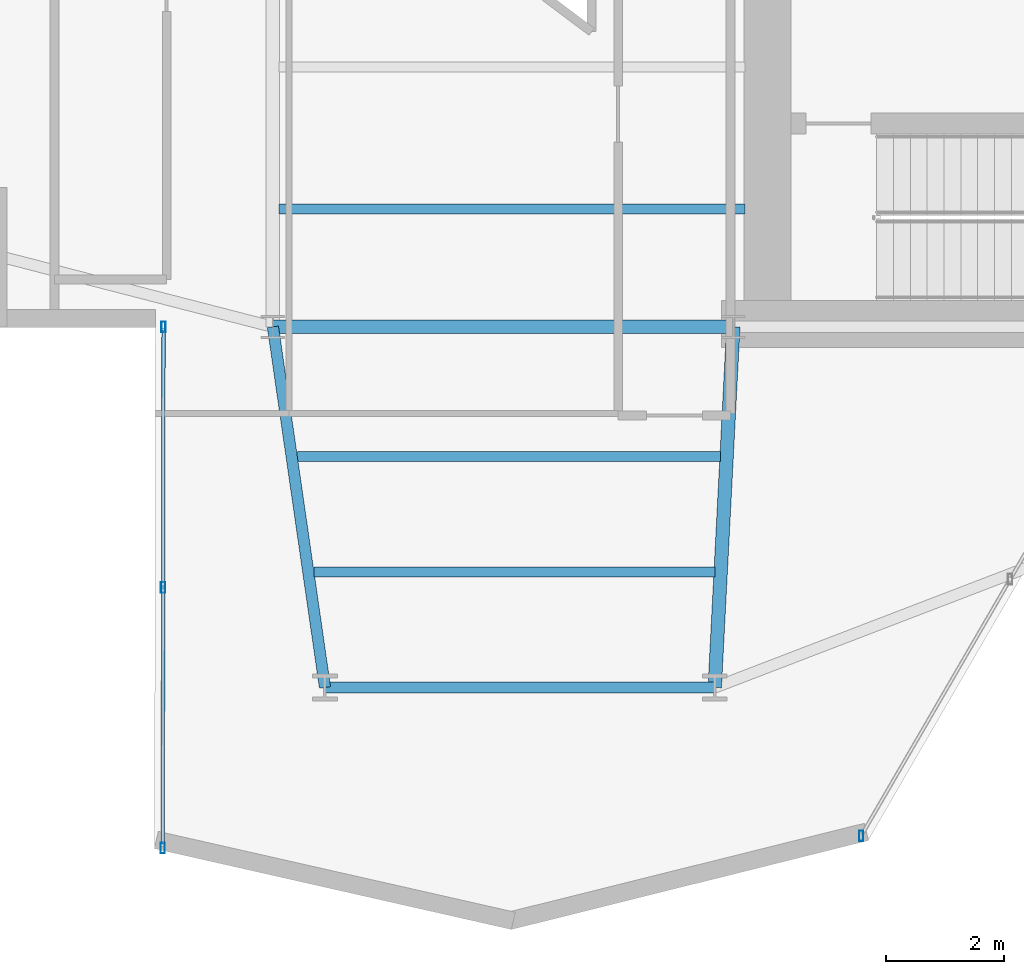
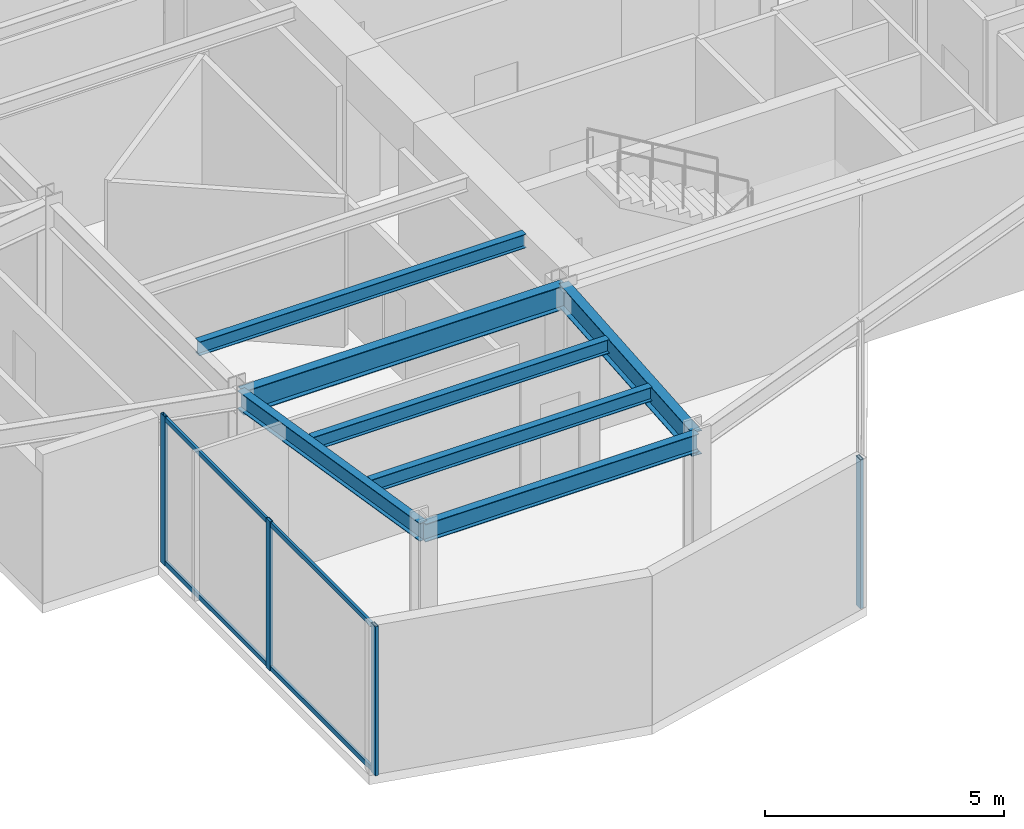
# One storey, part 6 of 25: 7 beams, 6 members, 2 elements without a shape of their own.
"""IFC4 building model written with IfcOpenShell, lengths in metres."""

from ifc_helpers import new_model, si_unit, direction, frame, origin, origin_2d, place, context, subcontext, project, spatial, hollow_rectangle, i_section, extrude, material, layer, layer_set, material_profile, profile_set, type_object, element, aggregate, save


model = new_model("IFC4")

# Units and contexts
model_context = context("Model", 3, precision=1e-05, world=origin(), true_north=direction((0.0, 1.0)))
body_context = subcontext(model_context, "Body", "Model", "MODEL_VIEW")
ifc_project = project(units=[si_unit("LENGTHUNIT", "METRE"), si_unit("AREAUNIT", "SQUARE_METRE"), si_unit("VOLUMEUNIT", "CUBIC_METRE"), si_unit("PLANEANGLEUNIT", "RADIAN"), si_unit("MASSUNIT", "GRAM", prefix="KILO")], contexts=[model_context])

# Site, building, storey
site_placement = place(None, origin())
site = spatial("IfcSite", under=ifc_project, at=site_placement, CompositionType="ELEMENT")
building_placement = place(site_placement, origin())
building = spatial("IfcBuilding", under=site, at=building_placement, Name="Veymaron Broadcast Tower", CompositionType="ELEMENT")
storey_placement = place(building_placement, frame((0.0, 0.0, 169.5)))
storey = spatial("IfcBuildingStorey", under=building, at=storey_placement, Name="L39", CompositionType="ELEMENT", Elevation=169.5)

# Beams
ifc_material_1 = material(Name="Structural steel ASTM A992 Gr 50", Category="steel")
ifc_material_profile_1 = material_profile(ifc_material_1, i_section(OverallWidth=0.22802734375, OverallDepth=0.60791015625, WebThickness=0.01123046875, FlangeThickness=0.017333984375, at=origin_2d()), Name="W610X113")
ifc_profile_set_1 = profile_set([ifc_material_profile_1], Name="Structural steel ASTM A992 Gr 50")
beam_type_1 = type_object("IfcBeamType", Name="BM-FG2", PredefinedType="BEAM", material=ifc_profile_set_1)
beam_1_placement = place(storey_placement, frame((31.199951171875, 16.0, 3.506103515625), z_axis=(1.0, 0.0, 0.0), x_axis=(0.0, 1.0, 0.0)))
element("IfcBeam", 1, at=beam_1_placement, inside=storey, type_object=beam_type_1, Name="L39 primary structural floor girder", PredefinedType="BEAM", context=body_context, shape_type="SweptSolid", body=[
    extrude(i_section(OverallWidth=0.22802734375, OverallDepth=0.60791015625, WebThickness=0.01123046875, FlangeThickness=0.017333984375, at=origin_2d()), origin(), (0.0, 0.0, 1.0), 7.800048828125),
])
beam_2_placement = place(storey_placement, frame((39.0, 16.0, 3.506103515625), z_axis=(-0.051475996299, -0.998674232072, 0.0), x_axis=(0.998674232072, -0.051475996299, 0.0)))
element("IfcBeam", 2, at=beam_2_placement, inside=storey, type_object=beam_type_1, Name="L39 primary structural floor girder", PredefinedType="BEAM", context=body_context, shape_type="SweptSolid", body=[
    extrude(i_section(OverallWidth=0.22802734375, OverallDepth=0.60791015625, WebThickness=0.01123046875, FlangeThickness=0.017333984375, at=origin_2d()), origin(), (0.0, 0.0, 1.0), 6.1181640625),
])
ifc_material_profile_2 = material_profile(ifc_material_1, i_section(OverallWidth=0.1708984375, OverallDepth=0.35498046875, WebThickness=0.007080078125, FlangeThickness=0.01171875, at=origin_2d()), Name="W360X51")
ifc_profile_set_2 = profile_set([ifc_material_profile_2], Name="Structural steel ASTM A992 Gr 50")
beam_type_2 = type_object("IfcBeamType", Name="BM-JS2", PredefinedType="JOIST", material=ifc_profile_set_2)
beam_3_placement = place(storey_placement, frame((31.617431640625, 13.80029296875, 3.632568359375), z_axis=(1.0, 0.0, 0.0), x_axis=(0.0, 1.0, 0.0)))
element("IfcBeam", 3, at=beam_3_placement, inside=storey, type_object=beam_type_2, Name="L39 Arm-C secondary joist 1", PredefinedType="JOIST", context=body_context, shape_type="SweptSolid", body=[
    extrude(i_section(OverallWidth=0.1708984375, OverallDepth=0.35498046875, WebThickness=0.007080078125, FlangeThickness=0.01171875, at=origin_2d()), origin(), (0.0, 0.0, 1.0), 7.169189453125),
])
beam_4_placement = place(storey_placement, frame((31.89990234375, 11.84521484375, 3.632568359375), z_axis=(1.0, 0.0, 0.0), x_axis=(0.0, 1.0, 0.0)))
element("IfcBeam", 4, at=beam_4_placement, inside=storey, type_object=beam_type_2, Name="L39 Arm-C secondary joist 2", PredefinedType="JOIST", context=body_context, shape_type="SweptSolid", body=[
    extrude(i_section(OverallWidth=0.1708984375, OverallDepth=0.35498046875, WebThickness=0.007080078125, FlangeThickness=0.01171875, at=origin_2d()), origin(), (0.0, 0.0, 1.0), 6.785888671875),
])
beam_5_placement = place(storey_placement, frame((31.300048828125, 18.0, 3.632568359375), z_axis=(1.0, 0.0, 0.0), x_axis=(0.0, 1.0, 0.0)))
element("IfcBeam", 5, at=beam_5_placement, inside=storey, type_object=beam_type_2, Name="L39 Hub secondary joist 1", PredefinedType="JOIST", context=body_context, shape_type="SweptSolid", body=[
    extrude(i_section(OverallWidth=0.1708984375, OverallDepth=0.35498046875, WebThickness=0.007080078125, FlangeThickness=0.01171875, at=origin_2d()), origin(), (0.0, 0.0, 1.0), 7.89990234375),
])
ifc_material_profile_3 = material_profile(ifc_material_1, i_section(OverallWidth=0.19091796875, OverallDepth=0.4599609375, WebThickness=0.010009765625, FlangeThickness=0.01611328125, at=origin_2d()), Name="W460X82")
ifc_profile_set_3 = profile_set([ifc_material_profile_3], Name="Structural steel ASTM A992 Gr 50")
beam_type_3 = type_object("IfcBeamType", Name="BM-SP1", PredefinedType="SPANDREL", material=ifc_profile_set_3)
beam_6_placement = place(storey_placement, frame((31.199951171875, 16.0, 3.580078125), z_axis=(0.142882854536, -0.989739607109, 0.0), x_axis=(0.989739607109, 0.142882854536, 0.0)))
element("IfcBeam", 6, at=beam_6_placement, inside=storey, type_object=beam_type_3, Name="L39 primary structural floor girder", PredefinedType="SPANDREL", context=body_context, shape_type="SweptSolid", body=[
    extrude(i_section(OverallWidth=0.19091796875, OverallDepth=0.4599609375, WebThickness=0.010009765625, FlangeThickness=0.01611328125, at=origin_2d()), origin(), (0.0, 0.0, 1.0), 6.17333984375),
])
beam_7_placement = place(storey_placement, frame((32.08203125, 9.889892578125, 3.580078125), z_axis=(1.0, 0.0, 0.0), x_axis=(0.0, 1.0, 0.0)))
element("IfcBeam", 7, at=beam_7_placement, inside=storey, type_object=beam_type_3, Name="L39 primary structural floor girder", PredefinedType="SPANDREL", context=body_context, shape_type="SweptSolid", body=[
    extrude(i_section(OverallWidth=0.19091796875, OverallDepth=0.4599609375, WebThickness=0.010009765625, FlangeThickness=0.01611328125, at=origin_2d()), origin(), (0.0, 0.0, 1.0), 6.60302734375),
])

# Curtain wall, members
ifc_material_2 = material(Name="Anodised aluminium AA 6063-T6 and laminated low-E dark glass", Category="aluminium")
ifc_layer = layer(ifc_material_2, 0.179931640625)
ifc_layer_set = layer_set([ifc_layer], Name="Anodised aluminium AA 6063-T6 and laminated low-E dark glass")
curtain_wall_type = type_object("IfcCurtainWallType", Name="CW-SYS-03", PredefinedType="NOTDEFINED", material=ifc_layer_set)
curtain_wall_1_placement = place(storey_placement, origin())
curtain_wall_1 = element("IfcCurtainWall", 8, at=curtain_wall_1_placement, inside=storey, type_object=curtain_wall_type, Name="L39 dark-glass curtain wall CW-L39-E17-1", PredefinedType="NOTDEFINED")
ifc_material_3 = material(Name="Anodised aluminium AA 6063-T6", Category="aluminium")
ifc_material_profile_4 = material_profile(ifc_material_3, hollow_rectangle(XDim=0.074951171875, YDim=0.179931640625, WallThickness=0.0048828125, at=origin_2d()), Name="AL180X75X5")
ifc_profile_set_4 = profile_set([ifc_material_profile_4], Name="Anodised aluminium AA 6063-T6")
member_type_1 = type_object("IfcMemberType", Name="CW-MUL-02", PredefinedType="MULLION", material=ifc_profile_set_4)
member_1_placement = place(storey_placement, frame((29.3466796875, 15.999755859375, 0.0), z_axis=(0.0, 0.0, 1.0), x_axis=(1.0, 0.0, 0.0)))
member_1 = element("IfcMember", 9, at=member_1_placement, type_object=member_type_1, Name="CW-L39-E17-1 mullion 0", PredefinedType="MULLION", context=body_context, shape_type="SweptSolid", body=[
    extrude(hollow_rectangle(XDim=0.074951171875, YDim=0.179931640625, WallThickness=0.0048828125, at=origin_2d()), origin(), (0.0, 0.0, 1.0), 3.81005859375),
])
member_2_placement = place(storey_placement, frame((29.34033203125, 11.584228515625, 0.0), z_axis=(0.0, 0.0, 1.0), x_axis=(1.0, 0.0, 0.0)))
member_2 = element("IfcMember", 10, at=member_2_placement, type_object=member_type_1, Name="CW-L39-E17-1 mullion 1", PredefinedType="MULLION", context=body_context, shape_type="SweptSolid", body=[
    extrude(hollow_rectangle(XDim=0.074951171875, YDim=0.179931640625, WallThickness=0.0048828125, at=origin_2d()), origin(), (0.0, 0.0, 1.0), 3.81005859375),
])
member_3_placement = place(storey_placement, frame((29.333984375, 7.168701171875, 0.0), z_axis=(0.0, 0.0, 1.0), x_axis=(1.0, 0.0, 0.0)))
member_3 = element("IfcMember", 11, at=member_3_placement, type_object=member_type_1, Name="CW-L39-E17-1 mullion 2", PredefinedType="MULLION", context=body_context, shape_type="SweptSolid", body=[
    extrude(hollow_rectangle(XDim=0.074951171875, YDim=0.179931640625, WallThickness=0.0048828125, at=origin_2d()), origin(), (0.0, 0.0, 1.0), 3.81005859375),
])

# Curtain wall, member
curtain_wall_2_placement = place(storey_placement, origin())
curtain_wall_2 = element("IfcCurtainWall", 12, at=curtain_wall_2_placement, inside=storey, type_object=curtain_wall_type, Name="L39 dark-glass curtain wall CW-L39-E20-1", PredefinedType="NOTDEFINED")
member_4_placement = place(storey_placement, frame((41.1669921875, 7.376220703125, 0.0), z_axis=(0.0, 0.0, 1.0), x_axis=(1.0, 0.0, 0.0)))
member_4 = element("IfcMember", 13, at=member_4_placement, type_object=member_type_1, Name="CW-L39-E20-1 mullion 0", PredefinedType="MULLION", context=body_context, shape_type="SweptSolid", body=[
    extrude(hollow_rectangle(XDim=0.074951171875, YDim=0.179931640625, WallThickness=0.0048828125, at=origin_2d()), origin(), (0.0, 0.0, 1.0), 3.81005859375),
])
aggregate(curtain_wall_2, [member_4])

# Member
ifc_material_profile_5 = material_profile(ifc_material_3, hollow_rectangle(XDim=0.06005859375, YDim=0.1201171875, WallThickness=0.00390625, at=origin_2d()), Name="AL120X60X4")
ifc_profile_set_5 = profile_set([ifc_material_profile_5], Name="Anodised aluminium AA 6063-T6")
member_type_2 = type_object("IfcMemberType", Name="CW-TRN-02", PredefinedType="USERDEFINED", material=ifc_profile_set_5)
member_5_placement = place(storey_placement, frame((29.3466796875, 15.94970703125, 0.070068359375), z_axis=(-0.001454055842, -0.99999894286, 0.0), x_axis=(0.99999894286, -0.001454055842, 0.0)))
member_5 = element("IfcMember", 14, at=member_5_placement, type_object=member_type_2, Name="CW-L39-E17-1 transom B", ObjectType="TRANSOM", PredefinedType="USERDEFINED", context=body_context, shape_type="SweptSolid", body=[
    extrude(hollow_rectangle(XDim=0.06005859375, YDim=0.1201171875, WallThickness=0.00390625, at=origin_2d()), origin(), (0.0, 0.0, 1.0), 8.73095703125),
])

member_6_placement = place(storey_placement, frame((29.3466796875, 15.94970703125, 3.739990234375), z_axis=(-0.001454055842, -0.99999894286, 0.0), x_axis=(0.99999894286, -0.001454055842, 0.0)))
member_6 = element("IfcMember", 15, at=member_6_placement, type_object=member_type_2, Name="CW-L39-E17-1 transom T", ObjectType="TRANSOM", PredefinedType="USERDEFINED", context=body_context, shape_type="SweptSolid", body=[
    extrude(hollow_rectangle(XDim=0.06005859375, YDim=0.1201171875, WallThickness=0.00390625, at=origin_2d()), origin(), (0.0, 0.0, 1.0), 8.73095703125),
])

aggregate(curtain_wall_1, [member_1, member_2, member_3, member_5, member_6])

save(model, "model.ifc")
